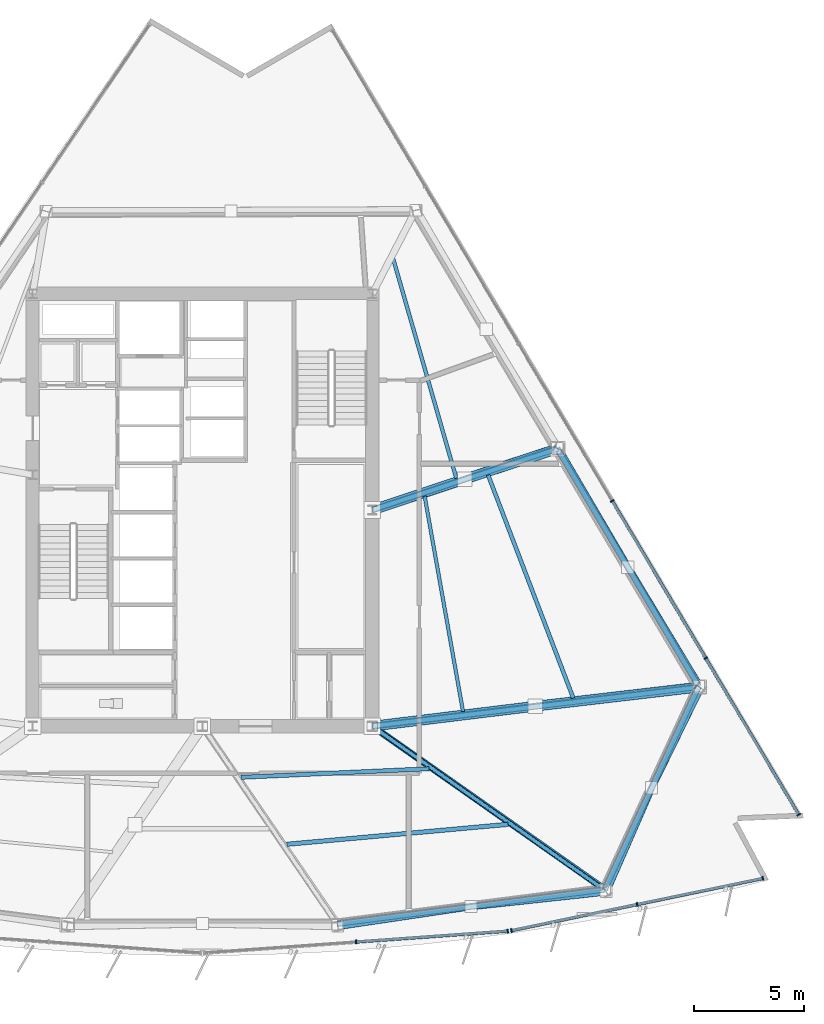
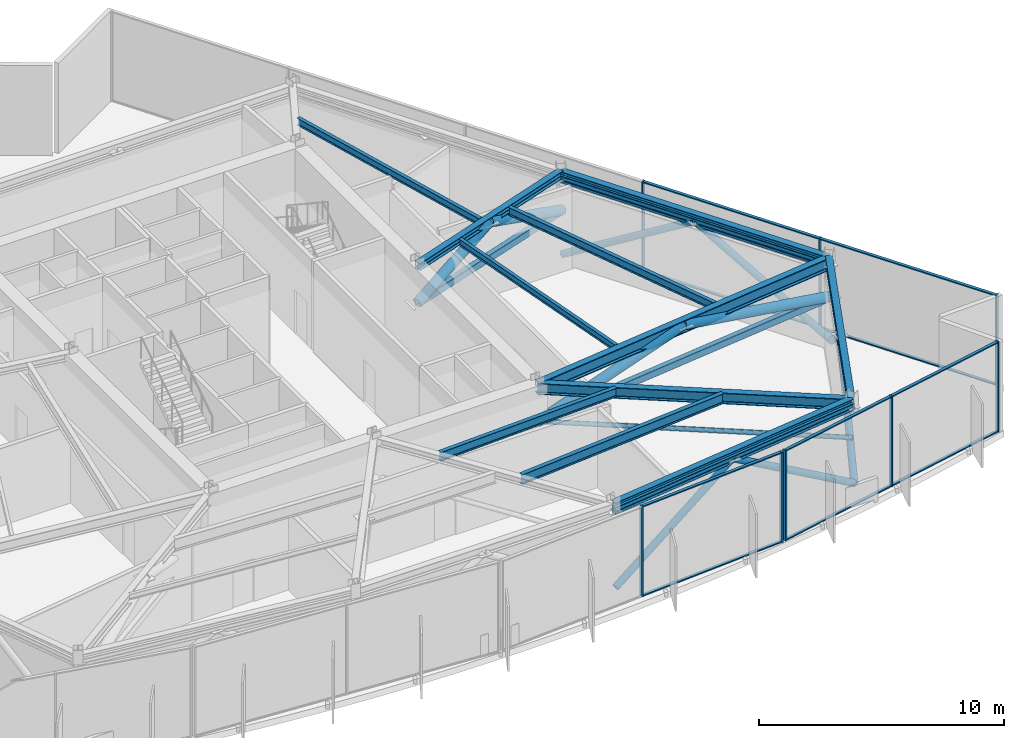
# One storey, part 5 of 14: 34 members, 11 beams, 3 elements without a shape of their own.
"""IFC4 building model written with IfcOpenShell, lengths in metres."""

from ifc_helpers import new_model, si_unit, direction, frame, origin, origin_2d, place, context, subcontext, project, spatial, rectangle, hollow_rectangle, hollow_circle, i_section, extrude, material, material_profile, profile_set, type_object, element, aggregate, save


model = new_model("IFC4")

# Units and contexts
model_context = context("Model", 3, precision=1e-05, world=origin(), true_north=direction((0.0, 1.0)))
body_context = subcontext(model_context, "Body", "Model", "MODEL_VIEW")
ifc_project = project(units=[si_unit("LENGTHUNIT", "METRE"), si_unit("AREAUNIT", "SQUARE_METRE"), si_unit("VOLUMEUNIT", "CUBIC_METRE"), si_unit("PLANEANGLEUNIT", "RADIAN"), si_unit("MASSUNIT", "GRAM", prefix="KILO")], contexts=[model_context])

# Site, building, storey
site_placement = place(None, origin())
site = spatial("IfcSite", under=ifc_project, at=site_placement, CompositionType="ELEMENT")
building_placement = place(site_placement, origin())
building = spatial("IfcBuilding", under=site, at=building_placement, Name="Savorim Split Tower", CompositionType="ELEMENT")
storey_placement = place(building_placement, frame((0.0, 0.0, 129.300048828125)))
storey = spatial("IfcBuildingStorey", under=building, at=storey_placement, Name="L34", CompositionType="ELEMENT", Elevation=129.300048828125)

# Beams
ifc_material_1 = material(Name="Steel S355", Category="steel")
ifc_material_profile_1 = material_profile(ifc_material_1, i_section(OverallWidth=0.159912109375, OverallDepth=0.330078125, WebThickness=0.007568359375, FlangeThickness=0.011474609375, FilletRadius=0.01806640625, at=origin_2d()), Name="IPE 330")
ifc_profile_set_1 = profile_set([ifc_material_profile_1], Name="Steel S355")
beam_type_1 = type_object("IfcBeamType", Name="BM-JST-IPE330", PredefinedType="JOIST", material=ifc_profile_set_1)
beam_1_placement = place(storey_placement, frame((11.8125, -8.735107421875, 4.3349609375), z_axis=(-0.175441213556, 0.984489908829, 0.0), x_axis=(-0.984489908829, -0.175441213556, 0.0)))
element("IfcBeam", 1, at=beam_1_placement, inside=storey, type_object=beam_type_1, Name="L34 Secondary Floor Joist JS-08", PredefinedType="JOIST", context=body_context, shape_type="SweptSolid", body=[
    extrude(i_section(OverallWidth=0.159912109375, OverallDepth=0.330078125, WebThickness=0.007568359375, FlangeThickness=0.011474609375, FilletRadius=0.01806640625, at=origin_2d()), origin(), (0.0, 0.0, 1.0), 9.9150390625),
])
ifc_material_profile_2 = material_profile(ifc_material_1, i_section(OverallWidth=0.169921875, OverallDepth=0.360107421875, WebThickness=0.008056640625, FlangeThickness=0.0126953125, FilletRadius=0.01806640625, at=origin_2d()), Name="IPE 360")
ifc_profile_set_2 = profile_set([ifc_material_profile_2], Name="Steel S355")
beam_type_2 = type_object("IfcBeamType", Name="BM-JST-IPE360", PredefinedType="JOIST", material=ifc_profile_set_2)
beam_2_placement = place(storey_placement, frame((11.5078125, 1.841064453125, 4.320068359375), z_axis=(-0.276508957588, 0.961011340398, 0.0), x_axis=(-0.961011340398, -0.276508957588, 0.0)))
element("IfcBeam", 2, at=beam_2_placement, inside=storey, type_object=beam_type_2, Name="L34 Secondary Floor Joist JS-07", PredefinedType="JOIST", context=body_context, shape_type="SweptSolid", body=[
    extrude(i_section(OverallWidth=0.169921875, OverallDepth=0.360107421875, WebThickness=0.008056640625, FlangeThickness=0.0126953125, FilletRadius=0.01806640625, at=origin_2d()), origin(), (0.0, 0.0, 1.0), 10.349853515625),
])
ifc_material_profile_3 = material_profile(ifc_material_1, i_section(OverallWidth=0.179931640625, OverallDepth=0.39990234375, WebThickness=0.008544921875, FlangeThickness=0.013427734375, FilletRadius=0.02099609375, at=origin_2d()), Name="IPE 400")
ifc_profile_set_3 = profile_set([ifc_material_profile_3], Name="Steel S355")
beam_type_3 = type_object("IfcBeamType", Name="BM-JST-IPE400", PredefinedType="JOIST", material=ifc_profile_set_3)
beam_3_placement = place(storey_placement, frame((16.8115234375, -8.127197265625, 4.300048828125), z_axis=(-0.356786739379, 0.934185860845, 0.0), x_axis=(-0.934185860845, -0.356786739379, 0.0)))
element("IfcBeam", 3, at=beam_3_placement, inside=storey, type_object=beam_type_3, Name="L34 Secondary Floor Joist JS-06", PredefinedType="JOIST", context=body_context, shape_type="SweptSolid", body=[
    extrude(i_section(OverallWidth=0.179931640625, OverallDepth=0.39990234375, WebThickness=0.008544921875, FlangeThickness=0.013427734375, FilletRadius=0.02099609375, at=origin_2d()), origin(), (0.0, 0.0, 1.0), 10.8251953125),
])
ifc_material_profile_4 = material_profile(ifc_material_1, i_section(OverallWidth=0.18994140625, OverallDepth=0.449951171875, WebThickness=0.009521484375, FlangeThickness=0.0146484375, FilletRadius=0.02099609375, at=origin_2d()), Name="IPE 450")
ifc_profile_set_4 = profile_set([ifc_material_profile_4], Name="Steel S355")
beam_type_4 = type_object("IfcBeamType", Name="BM-JST-IPE450", PredefinedType="JOIST", material=ifc_profile_set_4)
beam_4_placement = place(storey_placement, frame((1.748291015625, -11.71923828125, 4.27490234375), z_axis=(0.998957012662, 0.045660561242, 0.0), x_axis=(-0.045660561242, 0.998957012662, 0.0)))
element("IfcBeam", 4, at=beam_4_placement, inside=storey, type_object=beam_type_4, Name="L34 Secondary Floor Joist JS-05", PredefinedType="JOIST", context=body_context, shape_type="SweptSolid", body=[
    extrude(i_section(OverallWidth=0.18994140625, OverallDepth=0.449951171875, WebThickness=0.009521484375, FlangeThickness=0.0146484375, FilletRadius=0.02099609375, at=origin_2d()), origin(), (0.0, 0.0, 1.0), 8.538818359375),
])
ifc_material_profile_5 = material_profile(ifc_material_1, i_section(OverallWidth=0.199951171875, OverallDepth=0.5, WebThickness=0.01025390625, FlangeThickness=0.01611328125, FilletRadius=0.02099609375, at=origin_2d()), Name="IPE 500")
ifc_profile_set_5 = profile_set([ifc_material_profile_5], Name="Steel S355")
beam_type_5 = type_object("IfcBeamType", Name="BM-JST-IPE500", PredefinedType="JOIST", material=ifc_profile_set_5)
beam_5_placement = place(storey_placement, frame((3.825439453125, -14.754638671875, 4.25), z_axis=(0.99595888986, 0.089810298453, 0.0), x_axis=(-0.089810298453, 0.99595888986, 0.0)))
element("IfcBeam", 5, at=beam_5_placement, inside=storey, type_object=beam_type_5, Name="L34 Secondary Floor Joist JS-04", PredefinedType="JOIST", context=body_context, shape_type="SweptSolid", body=[
    extrude(i_section(OverallWidth=0.199951171875, OverallDepth=0.5, WebThickness=0.01025390625, FlangeThickness=0.01611328125, FilletRadius=0.02099609375, at=origin_2d()), origin(), (0.0, 0.0, 1.0), 10.074462890625),
])
ifc_material_profile_6 = material_profile(ifc_material_1, i_section(OverallWidth=0.300048828125, OverallDepth=0.360107421875, WebThickness=0.012451171875, FlangeThickness=0.0224609375, FilletRadius=0.027099609375, at=origin_2d()), Name="HEB 360")
ifc_profile_set_6 = profile_set([ifc_material_profile_6], Name="Steel S355")
beam_type_6 = type_object("IfcBeamType", Name="BM-PRI-HEB360", PredefinedType="BEAM", material=ifc_profile_set_6)
beam_6_placement = place(storey_placement, frame((16.07421875, 3.198486328125, 4.320068359375), z_axis=(-0.948439692836, -0.31695764552, 0.0), x_axis=(0.31695764552, -0.948439692836, 0.0)))
element("IfcBeam", 6, at=beam_6_placement, inside=storey, type_object=beam_type_6, Name="L34 Primary Floor Girder RG-06", PredefinedType="BEAM", context=body_context, shape_type="SweptSolid", body=[
    extrude(i_section(OverallWidth=0.300048828125, OverallDepth=0.360107421875, WebThickness=0.012451171875, FlangeThickness=0.0224609375, FilletRadius=0.027099609375, at=origin_2d()), origin(), (0.0, 0.0, 1.0), 8.82958984375),
])
ifc_material_profile_7 = material_profile(ifc_material_1, i_section(OverallWidth=0.300048828125, OverallDepth=0.550048828125, WebThickness=0.014892578125, FlangeThickness=0.029052734375, FilletRadius=0.027099609375, at=origin_2d()), Name="HEB 550")
ifc_profile_set_7 = profile_set([ifc_material_profile_7], Name="Steel S355")
beam_type_7 = type_object("IfcBeamType", Name="BM-PRI-HEB550", PredefinedType="BEAM", material=ifc_profile_set_7)
beam_7_placement = place(storey_placement, frame((18.23095703125, -16.792236328125, 4.224853515625), z_axis=(-0.818477952467, 0.574537937238, 0.0), x_axis=(-0.574537937238, -0.818477952467, 0.0)))
element("IfcBeam", 7, at=beam_7_placement, inside=storey, type_object=beam_type_7, Name="L34 Primary Floor Girder RG-04", PredefinedType="BEAM", context=body_context, shape_type="SweptSolid", body=[
    extrude(i_section(OverallWidth=0.300048828125, OverallDepth=0.550048828125, WebThickness=0.014892578125, FlangeThickness=0.029052734375, FilletRadius=0.027099609375, at=origin_2d()), origin(), (0.0, 0.0, 1.0), 12.866455078125),
])
ifc_material_2 = material(Name="Steel S460", Category="steel")
ifc_material_profile_8 = material_profile(ifc_material_2, i_section(OverallWidth=0.304931640625, OverallDepth=0.6201171875, WebThickness=0.02099609375, FlangeThickness=0.0400390625, FilletRadius=0.027099609375, at=origin_2d()), Name="HE 600 M")
ifc_profile_set_8 = profile_set([ifc_material_profile_8], Name="Steel S460")
beam_type_8 = type_object("IfcBeamType", Name="BM-PRI-HEM600", PredefinedType="BEAM", material=ifc_profile_set_8)
beam_8_placement = place(storey_placement, frame((22.488037109375, -7.588134765625, 4.18994140625), z_axis=(-0.992578438628, -0.121606098413, 0.0), x_axis=(0.121606098413, -0.992578438628, 0.0)))
element("IfcBeam", 8, at=beam_8_placement, inside=storey, type_object=beam_type_8, Name="L34 Primary Floor Girder RG-05", PredefinedType="BEAM", context=body_context, shape_type="SweptSolid", body=[
    extrude(i_section(OverallWidth=0.304931640625, OverallDepth=0.6201171875, WebThickness=0.02099609375, FlangeThickness=0.0400390625, FilletRadius=0.027099609375, at=origin_2d()), origin(), (0.0, 0.0, 1.0), 14.898681640625),
])
ifc_material_profile_9 = material_profile(ifc_material_1, i_section(OverallWidth=0.300048828125, OverallDepth=0.43994140625, WebThickness=0.011474609375, FlangeThickness=0.02099609375, FilletRadius=0.027099609375, at=origin_2d()), Name="HEA 450")
ifc_profile_set_9 = profile_set([ifc_material_profile_9], Name="Steel S355")
beam_type_9 = type_object("IfcBeamType", Name="BM-SPN-HEA450", PredefinedType="SPANDREL", material=ifc_profile_set_9)
beam_9_placement = place(storey_placement, frame((6.110107421875, -18.348388671875, 4.280029296875), z_axis=(0.991858969878, 0.127341210426, 0.0), x_axis=(-0.127341210426, 0.991858969878, 0.0)))
element("IfcBeam", 9, at=beam_9_placement, inside=storey, type_object=beam_type_9, Name="L34 Perimeter Spandrel Beam 3", PredefinedType="SPANDREL", context=body_context, shape_type="SweptSolid", body=[
    extrude(i_section(OverallWidth=0.300048828125, OverallDepth=0.43994140625, WebThickness=0.011474609375, FlangeThickness=0.02099609375, FilletRadius=0.027099609375, at=origin_2d()), origin(), (0.0, 0.0, 1.0), 12.22021484375),
])
beam_10_placement = place(storey_placement, frame((18.23095703125, -16.792236328125, 4.280029296875), z_axis=(0.419792380685, 0.907620161256, 0.0), x_axis=(-0.907620161256, 0.419792380685, 0.0)))
element("IfcBeam", 10, at=beam_10_placement, inside=storey, type_object=beam_type_9, Name="L34 Perimeter Spandrel Beam 4", PredefinedType="SPANDREL", context=body_context, shape_type="SweptSolid", body=[
    extrude(i_section(OverallWidth=0.300048828125, OverallDepth=0.43994140625, WebThickness=0.011474609375, FlangeThickness=0.02099609375, FilletRadius=0.027099609375, at=origin_2d()), origin(), (0.0, 0.0, 1.0), 10.140869140625),
])
beam_11_placement = place(storey_placement, frame((22.488037109375, -7.588134765625, 4.280029296875), z_axis=(-0.511084327346, 0.859530575571, 0.0), x_axis=(-0.859530575571, -0.511084327346, 0.0)))
element("IfcBeam", 11, at=beam_11_placement, inside=storey, type_object=beam_type_9, Name="L34 Perimeter Spandrel Beam 5", PredefinedType="SPANDREL", context=body_context, shape_type="SweptSolid", body=[
    extrude(i_section(OverallWidth=0.300048828125, OverallDepth=0.43994140625, WebThickness=0.011474609375, FlangeThickness=0.02099609375, FilletRadius=0.027099609375, at=origin_2d()), origin(), (0.0, 0.0, 1.0), 12.54931640625),
])

# Curtain wall, members
ifc_material_3 = material(Name="Dark Ceramic-Fritted Insulated Glass", Category="glass")
curtain_wall_type = type_object("IfcCurtainWallType", Name="CW-REFUGE-LVR", PredefinedType="NOTDEFINED", material=ifc_material_3)
curtain_wall_1_placement = place(storey_placement, origin())
curtain_wall_1 = element("IfcCurtainWall", 12, at=curtain_wall_1_placement, inside=storey, type_object=curtain_wall_type, Name="L34 Curtain Wall CW-L34-SF3", PredefinedType="NOTDEFINED")
ifc_material_4 = material(Name="Charcoal Anodised Aluminium", Category="aluminium")
ifc_material_profile_10 = material_profile(ifc_material_4, rectangle(XDim=0.179931640625, YDim=0.06494140625, at=origin_2d()), Name="ALU-M 180x65")
ifc_profile_set_10 = profile_set([ifc_material_profile_10], Name="Charcoal Anodised Aluminium")
member_type_1 = type_object("IfcMemberType", Name="CWM-180x65", PredefinedType="MULLION", material=ifc_profile_set_10)
member_1_placement = place(storey_placement, frame((6.9619140625, -19.181884765625, 0.0), z_axis=(0.0, 0.0, 1.0), x_axis=(-0.071560918492, 0.997436231017, 0.0)))
member_1 = element("IfcMember", 13, at=member_1_placement, type_object=member_type_1, Name="CW-06 mullion 2", PredefinedType="MULLION", context=body_context, shape_type="SweptSolid", body=[
    extrude(rectangle(XDim=0.179931640625, YDim=0.06494140625, at=origin_2d()), origin(), (0.0, 0.0, 1.0), 4.5),
])
member_2_placement = place(storey_placement, frame((13.840087890625, -18.688232421875, 0.0), z_axis=(0.0, 0.0, 1.0), x_axis=(-0.071560918492, 0.997436231017, 0.0)))
member_2 = element("IfcMember", 14, at=member_2_placement, type_object=member_type_1, Name="CW-06 mullion 3", PredefinedType="MULLION", context=body_context, shape_type="SweptSolid", body=[
    extrude(rectangle(XDim=0.179931640625, YDim=0.06494140625, at=origin_2d()), origin(), (0.0, 0.0, 1.0), 4.5),
])

curtain_wall_2_placement = place(storey_placement, origin())
curtain_wall_2 = element("IfcCurtainWall", 15, at=curtain_wall_2_placement, inside=storey, type_object=curtain_wall_type, Name="L34 Curtain Wall CW-L34-SF4", PredefinedType="NOTDEFINED")
member_3_placement = place(storey_placement, frame((14.007080078125, -18.6650390625, 0.0), z_axis=(0.0, 0.0, 1.0), x_axis=(-0.203209964912, 0.979135184824, 0.0)))
member_3 = element("IfcMember", 16, at=member_3_placement, type_object=member_type_1, Name="CW-06 mullion 1", PredefinedType="MULLION", context=body_context, shape_type="SweptSolid", body=[
    extrude(rectangle(XDim=0.179931640625, YDim=0.06494140625, at=origin_2d()), origin(), (0.0, 0.0, 1.0), 4.5),
])
member_4_placement = place(storey_placement, frame((19.70458984375, -17.482666015625, 0.0), z_axis=(0.0, 0.0, 1.0), x_axis=(-0.203209964912, 0.979135184824, 0.0)))
member_4 = element("IfcMember", 17, at=member_4_placement, type_object=member_type_1, Name="CW-06 mullion 2", PredefinedType="MULLION", context=body_context, shape_type="SweptSolid", body=[
    extrude(rectangle(XDim=0.179931640625, YDim=0.06494140625, at=origin_2d()), origin(), (0.0, 0.0, 1.0), 4.5),
])
member_5_placement = place(storey_placement, frame((25.402099609375, -16.30029296875, 0.0), z_axis=(0.0, 0.0, 1.0), x_axis=(-0.203209964912, 0.979135184824, 0.0)))
member_5 = element("IfcMember", 18, at=member_5_placement, type_object=member_type_1, Name="CW-06 mullion 3", PredefinedType="MULLION", context=body_context, shape_type="SweptSolid", body=[
    extrude(rectangle(XDim=0.179931640625, YDim=0.06494140625, at=origin_2d()), origin(), (0.0, 0.0, 1.0), 4.5),
])

curtain_wall_3_placement = place(storey_placement, origin())
curtain_wall_3 = element("IfcCurtainWall", 19, at=curtain_wall_3_placement, inside=storey, type_object=curtain_wall_type, Name="L34 Curtain Wall CW-L34-EAST", PredefinedType="NOTDEFINED")
member_6_placement = place(storey_placement, frame((27.032470703125, -13.41357421875, 0.0), z_axis=(0.0, 0.0, 1.0), x_axis=(-0.859526723197, -0.51109080613, 0.0)))
member_6 = element("IfcMember", 20, at=member_6_placement, type_object=member_type_1, Name="CW-06 mullion 1", PredefinedType="MULLION", context=body_context, shape_type="SweptSolid", body=[
    extrude(rectangle(XDim=0.179931640625, YDim=0.06494140625, at=origin_2d()), origin(), (0.0, 0.0, 1.0), 4.5),
])
member_7_placement = place(storey_placement, frame((22.8115234375, -6.31494140625, 0.0), z_axis=(0.0, 0.0, 1.0), x_axis=(-0.859526723197, -0.51109080613, 0.0)))
member_7 = element("IfcMember", 21, at=member_7_placement, type_object=member_type_1, Name="CW-06 mullion 2", PredefinedType="MULLION", context=body_context, shape_type="SweptSolid", body=[
    extrude(rectangle(XDim=0.179931640625, YDim=0.06494140625, at=origin_2d()), origin(), (0.0, 0.0, 1.0), 4.5),
])
member_8_placement = place(storey_placement, frame((18.57421875, 0.811279296875, 0.0), z_axis=(0.0, 0.0, 1.0), x_axis=(-0.859526723197, -0.51109080613, 0.0)))
member_8 = element("IfcMember", 22, at=member_8_placement, type_object=member_type_1, Name="CW-06 mullion 3", PredefinedType="MULLION", context=body_context, shape_type="SweptSolid", body=[
    extrude(rectangle(XDim=0.179931640625, YDim=0.06494140625, at=origin_2d()), origin(), (0.0, 0.0, 1.0), 4.5),
])

# Member
ifc_material_profile_11 = material_profile(ifc_material_4, rectangle(XDim=0.139892578125, YDim=0.054931640625, at=origin_2d()), Name="ALU-T 140x55")
ifc_profile_set_11 = profile_set([ifc_material_profile_11], Name="Charcoal Anodised Aluminium")
member_type_2 = type_object("IfcMemberType", Name="CWT-140x55", PredefinedType="USERDEFINED", material=ifc_profile_set_11)
member_9_placement = place(storey_placement, frame((6.994384765625, -19.179443359375, 0.02734375), z_axis=(0.99743669961, 0.071554386807, 0.0), x_axis=(-0.071554386807, 0.99743669961, 0.0)))
member_9 = element("IfcMember", 23, at=member_9_placement, type_object=member_type_2, Name="CW-06 transom 2.1", ObjectType="TRANSOM", PredefinedType="USERDEFINED", context=body_context, shape_type="SweptSolid", body=[
    extrude(rectangle(XDim=0.139892578125, YDim=0.054931640625, at=origin_2d()), origin(), (0.0, 0.0, 1.0), 6.830810546875),
])

member_10_placement = place(storey_placement, frame((6.994384765625, -19.179443359375, 4.472412109375), z_axis=(0.99743669961, 0.071554386807, 0.0), x_axis=(-0.071554386807, 0.99743669961, 0.0)))
member_10 = element("IfcMember", 24, at=member_10_placement, type_object=member_type_2, Name="CW-06 transom 2.2", ObjectType="TRANSOM", PredefinedType="USERDEFINED", context=body_context, shape_type="SweptSolid", body=[
    extrude(rectangle(XDim=0.139892578125, YDim=0.054931640625, at=origin_2d()), origin(), (0.0, 0.0, 1.0), 6.830810546875),
])

aggregate(curtain_wall_1, [member_1, member_2, member_9, member_10])

member_11_placement = place(storey_placement, frame((14.0390625, -18.658447265625, 0.02734375), z_axis=(0.979135111877, 0.203210316394, 0.0), x_axis=(-0.203210316394, 0.979135111877, 0.0)))
member_11 = element("IfcMember", 25, at=member_11_placement, type_object=member_type_2, Name="CW-06 transom 1.1", ObjectType="TRANSOM", PredefinedType="USERDEFINED", context=body_context, shape_type="SweptSolid", body=[
    extrude(rectangle(XDim=0.139892578125, YDim=0.054931640625, at=origin_2d()), origin(), (0.0, 0.0, 1.0), 5.753662109375),
])

member_12_placement = place(storey_placement, frame((14.0390625, -18.658447265625, 4.472412109375), z_axis=(0.979135111877, 0.203210316394, 0.0), x_axis=(-0.203210316394, 0.979135111877, 0.0)))
member_12 = element("IfcMember", 26, at=member_12_placement, type_object=member_type_2, Name="CW-06 transom 1.2", ObjectType="TRANSOM", PredefinedType="USERDEFINED", context=body_context, shape_type="SweptSolid", body=[
    extrude(rectangle(XDim=0.139892578125, YDim=0.054931640625, at=origin_2d()), origin(), (0.0, 0.0, 1.0), 5.753662109375),
])

member_13_placement = place(storey_placement, frame((19.736328125, -17.47607421875, 0.02734375), z_axis=(0.979136864004, 0.203201873883, 0.0), x_axis=(-0.203201873883, 0.979136864004, 0.0)))
member_13 = element("IfcMember", 27, at=member_13_placement, type_object=member_type_2, Name="CW-06 transom 2.1", ObjectType="TRANSOM", PredefinedType="USERDEFINED", context=body_context, shape_type="SweptSolid", body=[
    extrude(rectangle(XDim=0.139892578125, YDim=0.054931640625, at=origin_2d()), origin(), (0.0, 0.0, 1.0), 5.75390625),
])

member_14_placement = place(storey_placement, frame((19.736328125, -17.47607421875, 4.472412109375), z_axis=(0.979136864004, 0.203201873883, 0.0), x_axis=(-0.203201873883, 0.979136864004, 0.0)))
member_14 = element("IfcMember", 28, at=member_14_placement, type_object=member_type_2, Name="CW-06 transom 2.2", ObjectType="TRANSOM", PredefinedType="USERDEFINED", context=body_context, shape_type="SweptSolid", body=[
    extrude(rectangle(XDim=0.139892578125, YDim=0.054931640625, at=origin_2d()), origin(), (0.0, 0.0, 1.0), 5.75390625),
])

aggregate(curtain_wall_2, [member_3, member_4, member_5, member_11, member_12, member_13, member_14])

member_15_placement = place(storey_placement, frame((27.015869140625, -13.385498046875, 0.02734375), z_axis=(-0.511104546173, 0.859518552959, 0.0), x_axis=(-0.859518552959, -0.511104546173, 0.0)))
member_15 = element("IfcMember", 29, at=member_15_placement, type_object=member_type_2, Name="CW-06 transom 1.1", ObjectType="TRANSOM", PredefinedType="USERDEFINED", context=body_context, shape_type="SweptSolid", body=[
    extrude(rectangle(XDim=0.139892578125, YDim=0.054931640625, at=origin_2d()), origin(), (0.0, 0.0, 1.0), 8.193603515625),
])

member_16_placement = place(storey_placement, frame((27.015869140625, -13.385498046875, 4.472412109375), z_axis=(-0.511104546173, 0.859518552959, 0.0), x_axis=(-0.859518552959, -0.511104546173, 0.0)))
member_16 = element("IfcMember", 30, at=member_16_placement, type_object=member_type_2, Name="CW-06 transom 1.2", ObjectType="TRANSOM", PredefinedType="USERDEFINED", context=body_context, shape_type="SweptSolid", body=[
    extrude(rectangle(XDim=0.139892578125, YDim=0.054931640625, at=origin_2d()), origin(), (0.0, 0.0, 1.0), 8.193603515625),
])

member_17_placement = place(storey_placement, frame((22.794921875, -6.287109375, 0.02734375), z_axis=(-0.511074207634, 0.859536592758, 0.0), x_axis=(-0.859536592758, -0.511074207634, 0.0)))
member_17 = element("IfcMember", 31, at=member_17_placement, type_object=member_type_2, Name="CW-06 transom 2.1", ObjectType="TRANSOM", PredefinedType="USERDEFINED", context=body_context, shape_type="SweptSolid", body=[
    extrude(rectangle(XDim=0.139892578125, YDim=0.054931640625, at=origin_2d()), origin(), (0.0, 0.0, 1.0), 8.22607421875),
])

member_18_placement = place(storey_placement, frame((22.794921875, -6.287109375, 4.472412109375), z_axis=(-0.511074207634, 0.859536592758, 0.0), x_axis=(-0.859536592758, -0.511074207634, 0.0)))
member_18 = element("IfcMember", 32, at=member_18_placement, type_object=member_type_2, Name="CW-06 transom 2.2", ObjectType="TRANSOM", PredefinedType="USERDEFINED", context=body_context, shape_type="SweptSolid", body=[
    extrude(rectangle(XDim=0.139892578125, YDim=0.054931640625, at=origin_2d()), origin(), (0.0, 0.0, 1.0), 8.22607421875),
])

aggregate(curtain_wall_3, [member_6, member_7, member_8, member_15, member_16, member_17, member_18])

# Members
ifc_material_profile_12 = material_profile(ifc_material_1, hollow_circle(Radius=0.109619140625, WallThickness=0.012451171875, at=origin_2d()), Name="CHS 219.1x12.5")
ifc_profile_set_12 = profile_set([ifc_material_profile_12], Name="Steel S355")
member_type_3 = type_object("IfcMemberType", Name="MBR-BAY-CHS219", PredefinedType="BRACE", material=ifc_profile_set_12)
member_19_placement = place(storey_placement, frame((7.699951171875, -9.39990234375, 2.52001953125), z_axis=(0.817295873881, -0.576218235166, 0.0), x_axis=(0.576218235166, 0.817295873881, 0.0)))
element("IfcMember", 33, at=member_19_placement, inside=storey, type_object=member_type_3, Name="L34 Secondary Belt Tie Strut 2", PredefinedType="BRACE", context=body_context, shape_type="SweptSolid", body=[
    extrude(hollow_circle(Radius=0.109619140625, WallThickness=0.012451171875, at=origin_2d()), origin(), (0.0, 0.0, 1.0), 12.92822265625),
])
ifc_material_profile_13 = material_profile(ifc_material_2, hollow_circle(Radius=0.161865234375, WallThickness=0.01611328125, at=origin_2d()), Name="CHS 323.9x16")
ifc_profile_set_13 = profile_set([ifc_material_profile_13], Name="Steel S460")
member_type_4 = type_object("IfcMemberType", Name="MBR-BLT-CHS324", PredefinedType="BRACE", material=ifc_profile_set_13)
member_20_placement = place(storey_placement, frame((6.133544921875, -18.4677734375, 0.280029296875), z_axis=(0.839687917108, 0.12483086437, 0.52852763141), x_axis=(-0.147047351963, 0.989129453752, 0.0)))
element("IfcMember", 34, at=member_20_placement, inside=storey, type_object=member_type_4, Name="L34 Perimeter Belt Truss Brace 3A", PredefinedType="BRACE", context=body_context, shape_type="SweptSolid", body=[
    extrude(hollow_circle(Radius=0.161865234375, WallThickness=0.01611328125, at=origin_2d()), origin(), (0.0, 0.0, 1.0), 7.189453125),
])
member_21_placement = place(storey_placement, frame((18.300537109375, -16.905517578125, 0.280029296875), z_axis=(-0.846369057985, -0.0917863294, 0.52462814204), x_axis=(0.107815028638, -0.99417097101, 0.0)))
element("IfcMember", 35, at=member_21_placement, inside=storey, type_object=member_type_4, Name="L34 Perimeter Belt Truss Brace 3B", PredefinedType="BRACE", context=body_context, shape_type="SweptSolid", body=[
    extrude(hollow_circle(Radius=0.161865234375, WallThickness=0.01611328125, at=origin_2d()), origin(), (0.0, 0.0, 1.0), 7.242919921875),
])
member_22_placement = place(storey_placement, frame((18.300537109375, -16.905517578125, 0.280029296875), z_axis=(0.321917530672, 0.737196488903, 0.594062656792), x_axis=(-0.916433722209, 0.400186497521, 0.0)))
element("IfcMember", 36, at=member_22_placement, inside=storey, type_object=member_type_4, Name="L34 Perimeter Belt Truss Brace 4A", PredefinedType="BRACE", context=body_context, shape_type="SweptSolid", body=[
    extrude(hollow_circle(Radius=0.161865234375, WallThickness=0.01611328125, at=origin_2d()), origin(), (0.0, 0.0, 1.0), 6.396240234375),
])
member_23_placement = place(storey_placement, frame((22.576416015625, -7.661376953125, 0.280029296875), z_axis=(-0.351108981084, -0.717298634264, 0.601834821762), x_axis=(0.898171976706, -0.439644288328, 0.0)))
element("IfcMember", 37, at=member_23_placement, inside=storey, type_object=member_type_4, Name="L34 Perimeter Belt Truss Brace 4B", PredefinedType="BRACE", context=body_context, shape_type="SweptSolid", body=[
    extrude(hollow_circle(Radius=0.161865234375, WallThickness=0.01611328125, at=origin_2d()), origin(), (0.0, 0.0, 1.0), 6.313720703125),
])
member_24_placement = place(storey_placement, frame((22.576416015625, -7.661376953125, 0.280029296875), z_axis=(-0.443595474557, 0.735907703253, 0.511529967104), x_axis=(-0.856438151474, -0.51624964184, 0.0)))
element("IfcMember", 38, at=member_24_placement, inside=storey, type_object=member_type_4, Name="L34 Perimeter Belt Truss Brace 5A", PredefinedType="BRACE", context=body_context, shape_type="SweptSolid", body=[
    extrude(hollow_circle(Radius=0.161865234375, WallThickness=0.01611328125, at=origin_2d()), origin(), (0.0, 0.0, 1.0), 7.42822265625),
])
member_25_placement = place(storey_placement, frame((16.13818359375, 3.166015625, 0.280029296875), z_axis=(0.431505526348, -0.735979365198, 0.521667858636), x_axis=(0.862662505434, 0.505779993395, 0.0)))
element("IfcMember", 39, at=member_25_placement, inside=storey, type_object=member_type_4, Name="L34 Perimeter Belt Truss Brace 5B", PredefinedType="BRACE", context=body_context, shape_type="SweptSolid", body=[
    extrude(hollow_circle(Radius=0.161865234375, WallThickness=0.01611328125, at=origin_2d()), origin(), (0.0, 0.0, 1.0), 7.283935546875),
])
ifc_material_profile_14 = material_profile(ifc_material_2, hollow_rectangle(XDim=0.25, YDim=0.35009765625, WallThickness=0.01611328125, InnerFilletRadius=0.01611328125, OuterFilletRadius=0.031982421875, at=origin_2d()), Name="RHS 350x250x16")
ifc_profile_set_14 = profile_set([ifc_material_profile_14], Name="Steel S460")
member_type_5 = type_object("IfcMemberType", Name="MBR-CHD-RHS350", PredefinedType="CHORD", material=ifc_profile_set_14)
member_26_placement = place(storey_placement, frame((6.11376953125, -18.367431640625, 4.079833984375), z_axis=(0.991858595617, 0.127344125508, 0.0), x_axis=(-0.127344125508, 0.991858595617, 0.0)))
element("IfcMember", 40, at=member_26_placement, inside=storey, type_object=member_type_5, Name="L34 Perimeter Belt Truss Chord 3", PredefinedType="CHORD", context=body_context, shape_type="SweptSolid", body=[
    extrude(hollow_rectangle(XDim=0.25, YDim=0.35009765625, WallThickness=0.01611328125, InnerFilletRadius=0.01611328125, OuterFilletRadius=0.031982421875, at=origin_2d()), origin(), (0.0, 0.0, 1.0), 12.227783203125),
])
member_27_placement = place(storey_placement, frame((18.241943359375, -16.810302734375, 4.079833984375), z_axis=(0.419811693225, 0.907611228573, 0.0), x_axis=(-0.907611228573, 0.419811693225, 0.0)))
element("IfcMember", 41, at=member_27_placement, inside=storey, type_object=member_type_5, Name="L34 Perimeter Belt Truss Chord 4", PredefinedType="CHORD", context=body_context, shape_type="SweptSolid", body=[
    extrude(hollow_rectangle(XDim=0.25, YDim=0.35009765625, WallThickness=0.01611328125, InnerFilletRadius=0.01611328125, OuterFilletRadius=0.031982421875, at=origin_2d()), origin(), (0.0, 0.0, 1.0), 10.14794921875),
])
member_28_placement = place(storey_placement, frame((22.502197265625, -7.599853515625, 4.079833984375), z_axis=(-0.511083545461, 0.859531040486, 0.0), x_axis=(-0.859531040486, -0.511083545461, 0.0)))
element("IfcMember", 42, at=member_28_placement, inside=storey, type_object=member_type_5, Name="L34 Perimeter Belt Truss Chord 5", PredefinedType="CHORD", context=body_context, shape_type="SweptSolid", body=[
    extrude(hollow_rectangle(XDim=0.25, YDim=0.35009765625, WallThickness=0.01611328125, InnerFilletRadius=0.01611328125, OuterFilletRadius=0.031982421875, at=origin_2d()), origin(), (0.0, 0.0, 1.0), 12.55712890625),
])
member_29_placement = place(storey_placement, frame((7.699951171875, -9.39990234375, 2.47998046875), z_axis=(0.99292308371, 0.118759209476, 0.0), x_axis=(-0.118759209476, 0.99292308371, 0.0)))
element("IfcMember", 43, at=member_29_placement, inside=storey, type_object=member_type_5, Name="L34 Outrigger Bottom Chord E1", PredefinedType="CHORD", context=body_context, shape_type="SweptSolid", body=[
    extrude(hollow_rectangle(XDim=0.25, YDim=0.35009765625, WallThickness=0.01611328125, InnerFilletRadius=0.01611328125, OuterFilletRadius=0.031982421875, at=origin_2d()), origin(), (0.0, 0.0, 1.0), 14.939208984375),
])
member_30_placement = place(storey_placement, frame((7.699951171875, 0.39990234375, 2.47998046875), z_axis=(0.949370292697, 0.314159270663, 0.0), x_axis=(-0.314159270663, 0.949370292697, 0.0)))
element("IfcMember", 44, at=member_30_placement, inside=storey, type_object=member_type_5, Name="L34 Outrigger Bottom Chord E2", PredefinedType="CHORD", context=body_context, shape_type="SweptSolid", body=[
    extrude(hollow_rectangle(XDim=0.25, YDim=0.35009765625, WallThickness=0.01611328125, InnerFilletRadius=0.01611328125, OuterFilletRadius=0.031982421875, at=origin_2d()), origin(), (0.0, 0.0, 1.0), 8.855224609375),
])
ifc_material_profile_15 = material_profile(ifc_material_2, hollow_circle(Radius=0.228515625, WallThickness=0.02490234375, at=origin_2d()), Name="CHS 457x25")
ifc_profile_set_15 = profile_set([ifc_material_profile_15], Name="Steel S460")
member_type_6 = type_object("IfcMemberType", Name="MBR-OUT-CHS457", PredefinedType="BRACE", material=ifc_profile_set_15)
member_31_placement = place(storey_placement, frame((7.699951171875, -9.39990234375, 2.47998046875), z_axis=(0.967136059913, 0.118473049669, 0.224971060625), x_axis=(-0.121589953939, 0.99258041644, 0.0)))
element("IfcMember", 45, at=member_31_placement, inside=storey, type_object=member_type_6, Name="L34 Outrigger Truss Diagonal E1-A", PredefinedType="BRACE", context=body_context, shape_type="SweptSolid", body=[
    extrude(hollow_circle(Radius=0.228515625, WallThickness=0.02490234375, at=origin_2d()), origin(), (0.0, 0.0, 1.0), 7.645263671875),
])
member_32_placement = place(storey_placement, frame((15.093994140625, -8.494140625, 4.199951171875), z_axis=(0.9680594541, 0.113001689362, -0.223811330209), x_axis=(-0.115942871437, 0.993255883729, 0.0)))
element("IfcMember", 46, at=member_32_placement, inside=storey, type_object=member_type_6, Name="L34 Outrigger Truss Diagonal E1-B", PredefinedType="BRACE", context=body_context, shape_type="SweptSolid", body=[
    extrude(hollow_circle(Radius=0.228515625, WallThickness=0.02490234375, at=origin_2d()), origin(), (0.0, 0.0, 1.0), 7.684814453125),
])
member_33_placement = place(storey_placement, frame((7.699951171875, 0.39990234375, 2.47998046875), z_axis=(0.883738032091, 0.295352247679, 0.363007080408), x_axis=(-0.316974205401, 0.948434158553, 0.0)))
element("IfcMember", 47, at=member_33_placement, inside=storey, type_object=member_type_6, Name="L34 Outrigger Truss Diagonal E2-A", PredefinedType="BRACE", context=body_context, shape_type="SweptSolid", body=[
    extrude(hollow_circle(Radius=0.228515625, WallThickness=0.02490234375, at=origin_2d()), origin(), (0.0, 0.0, 1.0), 4.738037109375),
])
member_34_placement = place(storey_placement, frame((11.88720703125, 1.79931640625, 4.199951171875), z_axis=(0.88613965135, 0.290338396528, -0.361192654696), x_axis=(-0.311357782073, 0.950292760965, 0.0)))
element("IfcMember", 48, at=member_34_placement, inside=storey, type_object=member_type_6, Name="L34 Outrigger Truss Diagonal E2-B", PredefinedType="BRACE", context=body_context, shape_type="SweptSolid", body=[
    extrude(hollow_circle(Radius=0.228515625, WallThickness=0.02490234375, at=origin_2d()), origin(), (0.0, 0.0, 1.0), 4.761962890625),
])

save(model, "model.ifc")
